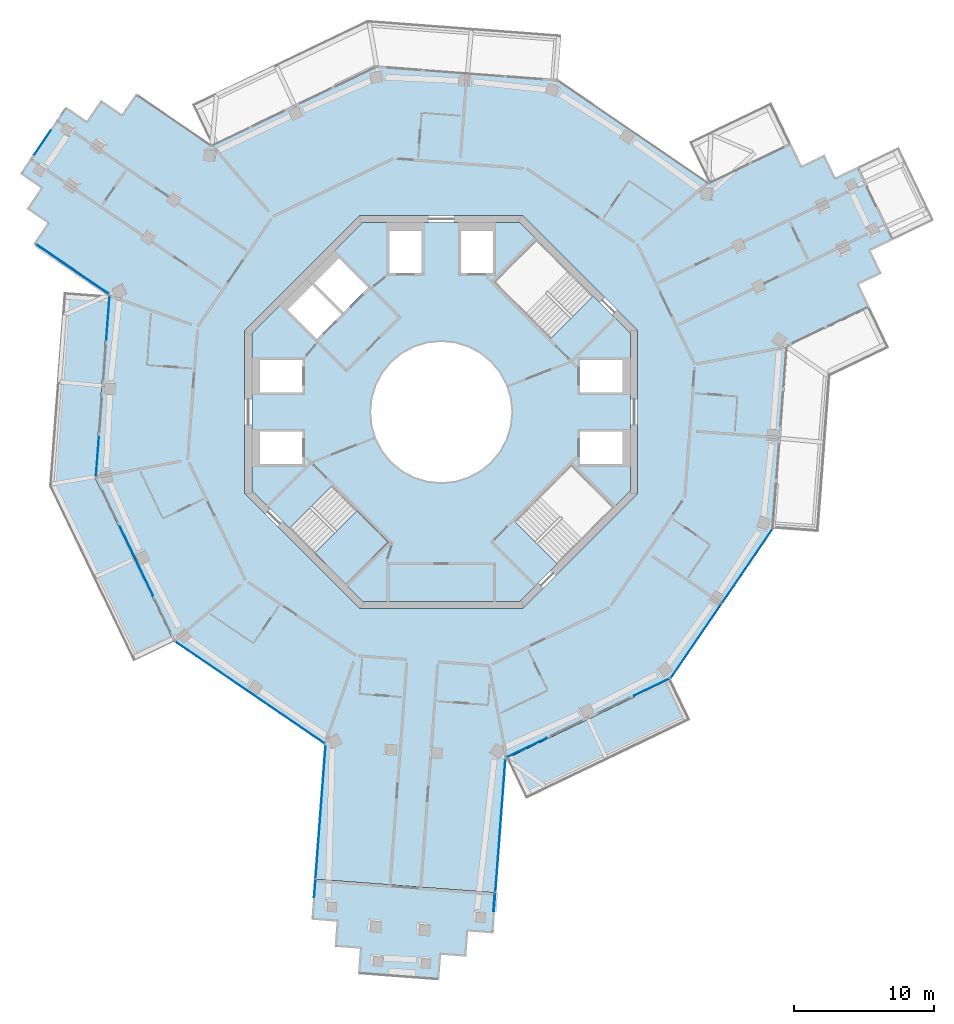
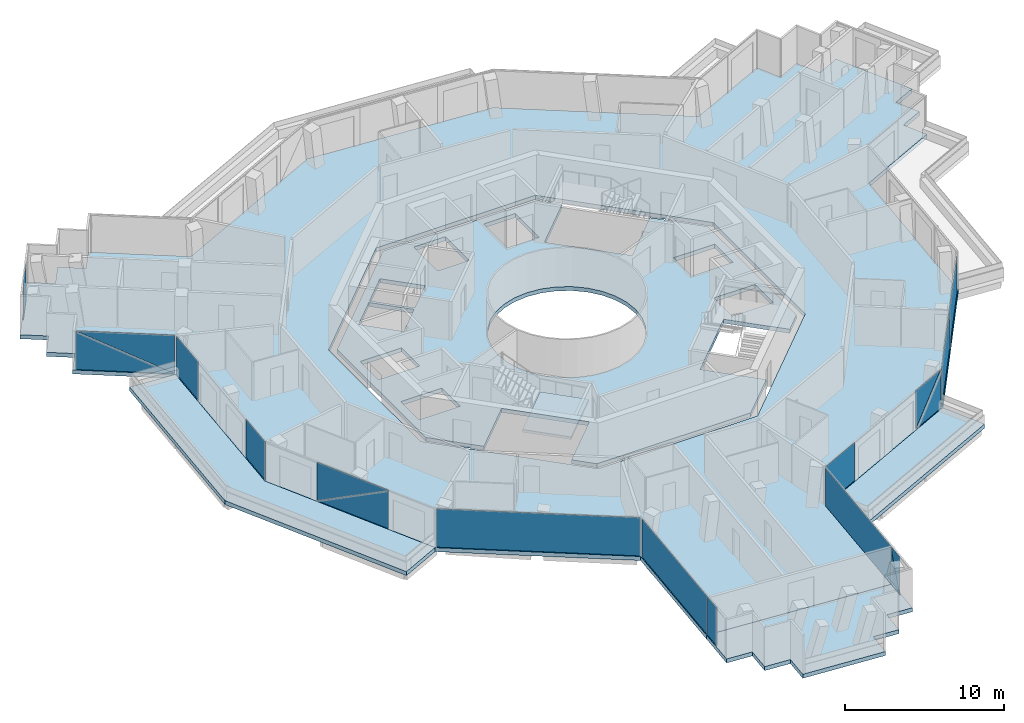
# One storey, part 12 of 23: 18 plates, 6 slabs, 10 elements without a shape of their own.
"""IFC4 building model written with IfcOpenShell, lengths in metres."""

from ifc_helpers import new_model, si_unit, direction, frame, origin, origin_2d, place, context, subcontext, project, spatial, polyline, rectangle, outline, extrude, material, layer, layer_set, type_object, element, aggregate, save


model = new_model("IFC4")

# Units and contexts
model_context = context("Model", 3, precision=1e-05, world=origin(), true_north=direction((0.0, 1.0)))
body_context = subcontext(model_context, "Body", "Model", "MODEL_VIEW")
ifc_project = project(units=[si_unit("LENGTHUNIT", "METRE"), si_unit("AREAUNIT", "SQUARE_METRE"), si_unit("VOLUMEUNIT", "CUBIC_METRE"), si_unit("PLANEANGLEUNIT", "RADIAN"), si_unit("MASSUNIT", "GRAM", prefix="KILO")], contexts=[model_context])

# Site, building, storey
site_placement = place(None, origin())
site = spatial("IfcSite", under=ifc_project, at=site_placement, CompositionType="ELEMENT")
building_placement = place(site_placement, origin())
building = spatial("IfcBuilding", under=site, at=building_placement, Name="Verdalira Terraces Hotel", CompositionType="ELEMENT")
storey_placement = place(building_placement, frame((0.0, 0.0, 259.5)))
storey = spatial("IfcBuildingStorey", under=building, at=storey_placement, Name="L64", CompositionType="ELEMENT", Elevation=259.5)

# Slabs
ifc_material_1 = material(Name="Precast concrete C40/50", Category="concrete")
ifc_layer_1 = layer(ifc_material_1, 0.31005859375)
ifc_layer_set_1 = layer_set([ifc_layer_1], Name="Balcony deck 310")
slab_type_1 = type_object("IfcSlabType", Name="Balcony deck 310", PredefinedType="FLOOR", material=ifc_layer_set_1)
slab_1_placement = place(storey_placement, frame((0.0, 0.0, -0.310059)))
element("IfcSlab", 1, at=slab_1_placement, inside=storey, type_object=slab_type_1, Name="Balcony deck", PredefinedType="FLOOR", context=body_context, shape_type="SweptSolid", body=[
    extrude(outline(polyline([(-27.93457, -5.268066), (-21.929443, -17.756836), (-19.045654, -16.370117), (-24.678955, -4.654297), (-23.699707, 8.308838), (-26.890625, 8.549805), (-27.93457, -5.268066)])), origin(), (0.0, 0.0, 1.0), 0.310059),
])
slab_2_placement = place(storey_placement, frame((0.0, 0.0, -0.310059)))
element("IfcSlab", 2, at=slab_2_placement, inside=storey, type_object=slab_type_1, Name="Balcony deck", PredefinedType="FLOOR", context=body_context, shape_type="SweptSolid", body=[
    extrude(outline(polyline([(17.756836, -21.929443), (16.370117, -19.045654), (4.654297, -24.678955), (6.041016, -27.562988), (17.756836, -21.929443)])), origin(), (0.0, 0.0, 1.0), 0.310059),
])

# Curtain wall, plates
ifc_material_2 = material(Name="Clear glass", Category="glass")
ifc_layer_2 = layer(ifc_material_2, 0.14990234375)
ifc_layer_set_2 = layer_set([ifc_layer_2], Name="CW1 curtain wall")
curtain_wall_type_1 = type_object("IfcCurtainWallType", Name="CW1 curtain wall", PredefinedType="NOTDEFINED", material=ifc_layer_set_2)
curtain_wall_1_placement = place(storey_placement, origin())
curtain_wall_1 = element("IfcCurtainWall", 3, at=curtain_wall_1_placement, inside=storey, type_object=curtain_wall_type_1, Name="CW1 curtain wall L64 edge 11", PredefinedType="NOTDEFINED")
ifc_material_3 = material(Name="Clear glass", Category="glass")
ifc_layer_3 = layer(ifc_material_3, 0.028076171875)
ifc_layer_set_3 = layer_set([ifc_layer_3], Name="CW1 glass unit 28")
plate_type_1 = type_object("IfcPlateType", Name="CW1 glass unit 28", PredefinedType="CURTAIN_PANEL", material=ifc_layer_set_3)
plate_1_placement = place(storey_placement, frame((-23.747803, 6.677734, 0.0), z_axis=(0.0, 0.0, 1.0), x_axis=(-0.075326806, -0.9971589, 0.0)))
plate_1 = element("IfcPlate", 4, at=plate_1_placement, type_object=plate_type_1, Name="CW1 glass unit", PredefinedType="CURTAIN_PANEL", context=body_context, shape_type="SweptSolid", body=[
    extrude(rectangle(XDim=3.139893, YDim=0.028076, at=origin_2d()), origin(), (0.0, 0.0, 1.0), 2.935059),
])
plate_2_placement = place(storey_placement, frame((-24.492676, -3.183838, 0.0), z_axis=(0.0, 0.0, 1.0), x_axis=(-0.075326806, -0.9971589, 0.0)))
plate_2 = element("IfcPlate", 5, at=plate_2_placement, type_object=plate_type_1, Name="CW1 glass unit", PredefinedType="CURTAIN_PANEL", context=body_context, shape_type="SweptSolid", body=[
    extrude(rectangle(XDim=2.76001, YDim=0.028076, at=origin_2d()), origin(), (0.0, 0.0, 1.0), 2.935059),
])
aggregate(curtain_wall_1, [plate_1, plate_2])

curtain_wall_2_placement = place(storey_placement, origin())
curtain_wall_2 = element("IfcCurtainWall", 6, at=curtain_wall_2_placement, inside=storey, type_object=curtain_wall_type_1, Name="CW1 curtain wall L64 edge 12", PredefinedType="NOTDEFINED")
plate_3_placement = place(storey_placement, frame((-21.70874, -10.625732, 1.467529), z_axis=(-0.901228342, -0.433344523, 0.0), x_axis=(0.433344523, -0.901228342, 0.0)))
plate_3 = element("IfcPlate", 7, at=plate_3_placement, type_object=plate_type_1, Name="CW1 glass unit", PredefinedType="CURTAIN_PANEL", context=body_context, shape_type="SweptSolid", body=[
    extrude(outline(polyline([(-2.727051, -1.467529), (2.727051, -1.467529), (2.727051, 1.467529), (-2.727051, -1.467529)])), origin(), (0.0, 0.0, 1.0), 0.028076),
])
plate_4_placement = place(storey_placement, frame((-21.682617, -10.613281, 1.467529), z_axis=(-0.901228342, -0.433344523, 0.0), x_axis=(0.433344523, -0.901228342, 0.0)))
plate_4 = element("IfcPlate", 8, at=plate_4_placement, type_object=plate_type_1, Name="CW1 glass unit", PredefinedType="CURTAIN_PANEL", context=body_context, shape_type="SweptSolid", body=[
    extrude(outline(polyline([(-2.727051, -1.467529), (2.727051, 1.467529), (-2.727051, 1.467529), (-2.727051, -1.467529)])), origin(), (0.0, 0.0, 1.0), 0.028076),
])
aggregate(curtain_wall_2, [plate_3, plate_4])

# Curtain wall, plate
curtain_wall_3_placement = place(storey_placement, origin())
curtain_wall_3 = element("IfcCurtainWall", 9, at=curtain_wall_3_placement, inside=storey, type_object=curtain_wall_type_1, Name="CW1 curtain wall L64 edge 13", PredefinedType="NOTDEFINED")
plate_5_placement = place(storey_placement, frame((-13.618408, -19.984375, 0.0), z_axis=(0.0, 0.0, 1.0), x_axis=(0.825901536, -0.563814377, 0.0)))
plate_5 = element("IfcPlate", 10, at=plate_5_placement, type_object=plate_type_1, Name="CW1 glass unit", PredefinedType="CURTAIN_PANEL", context=body_context, shape_type="SweptSolid", body=[
    extrude(rectangle(XDim=12.839844, YDim=0.028076, at=origin_2d()), origin(), (0.0, 0.0, 1.0), 2.935059),
])
aggregate(curtain_wall_3, [plate_5])

# Curtain wall, plates
curtain_wall_4_placement = place(storey_placement, origin())
curtain_wall_4 = element("IfcCurtainWall", 11, at=curtain_wall_4_placement, inside=storey, type_object=curtain_wall_type_1, Name="CW1 curtain wall L64 edge 25", PredefinedType="NOTDEFINED")
plate_6_placement = place(storey_placement, frame((6.09082, -23.905029, 0.0), z_axis=(0.0, 0.0, 1.0), x_axis=(0.901228342, 0.433344523, 0.0)))
plate_6 = element("IfcPlate", 12, at=plate_6_placement, type_object=plate_type_1, Name="CW1 glass unit", PredefinedType="CURTAIN_PANEL", context=body_context, shape_type="SweptSolid", body=[
    extrude(rectangle(XDim=3.139893, YDim=0.028076, at=origin_2d()), origin(), (0.0, 0.0, 1.0), 2.935059),
])
plate_7_placement = place(storey_placement, frame((14.997559, -19.606689, 1.467529), z_axis=(0.433344523, -0.901228342, 0.0), x_axis=(0.901228342, 0.433344523, 0.0)))
plate_7 = element("IfcPlate", 13, at=plate_7_placement, type_object=plate_type_1, Name="CW1 glass unit", PredefinedType="CURTAIN_PANEL", context=body_context, shape_type="SweptSolid", body=[
    extrude(outline(polyline([(-1.379883, -1.467529), (1.379883, -1.467529), (1.379883, 1.467529), (-1.379883, -1.467529)])), origin(), (0.0, 0.0, 1.0), 0.028076),
])
plate_8_placement = place(storey_placement, frame((14.985107, -19.580566, 1.467529), z_axis=(0.433344523, -0.901228342, 0.0), x_axis=(0.901228342, 0.433344523, 0.0)))
plate_8 = element("IfcPlate", 14, at=plate_8_placement, type_object=plate_type_1, Name="CW1 glass unit", PredefinedType="CURTAIN_PANEL", context=body_context, shape_type="SweptSolid", body=[
    extrude(outline(polyline([(-1.379883, -1.467529), (1.379883, 1.467529), (-1.379883, 1.467529), (-1.379883, -1.467529)])), origin(), (0.0, 0.0, 1.0), 0.028076),
])
aggregate(curtain_wall_4, [plate_6, plate_7, plate_8])

curtain_wall_5_placement = place(storey_placement, origin())
curtain_wall_5 = element("IfcCurtainWall", 15, at=curtain_wall_5_placement, inside=storey, type_object=curtain_wall_type_1, Name="CW1 curtain wall L64 edge 26", PredefinedType="NOTDEFINED")
plate_9_placement = place(storey_placement, frame((18.1604, -16.290039, 0.0), z_axis=(0.0, 0.0, 1.0), x_axis=(0.563814377, 0.825901536, 0.0)))
plate_9 = element("IfcPlate", 16, at=plate_9_placement, type_object=plate_type_1, Name="CW1 glass unit", PredefinedType="CURTAIN_PANEL", context=body_context, shape_type="SweptSolid", body=[
    extrude(rectangle(XDim=6.369873, YDim=0.028076, at=origin_2d()), origin(), (0.0, 0.0, 1.0), 2.935059),
])
plate_10_placement = place(storey_placement, frame((21.785645, -10.979736, 0.0), z_axis=(0.0, 0.0, 1.0), x_axis=(0.563814377, 0.825901536, 0.0)))
plate_10 = element("IfcPlate", 17, at=plate_10_placement, type_object=plate_type_1, Name="CW1 glass unit", PredefinedType="CURTAIN_PANEL", context=body_context, shape_type="SweptSolid", body=[
    extrude(rectangle(XDim=6.369873, YDim=0.028076, at=origin_2d()), origin(), (0.0, 0.0, 1.0), 2.935059),
])
aggregate(curtain_wall_5, [plate_9, plate_10])

ifc_material_4 = material(Name="Clear glass", Category="glass")
ifc_layer_4 = layer(ifc_material_4, 0.14990234375)
ifc_layer_set_4 = layer_set([ifc_layer_4], Name="CW2 curtain wall")
curtain_wall_type_2 = type_object("IfcCurtainWallType", Name="CW2 curtain wall", PredefinedType="NOTDEFINED", material=ifc_layer_set_4)
curtain_wall_6_placement = place(storey_placement, origin())
curtain_wall_6 = element("IfcCurtainWall", 18, at=curtain_wall_6_placement, inside=storey, type_object=curtain_wall_type_2, Name="CW2 curtain wall L64 edge 10", PredefinedType="NOTDEFINED")
ifc_material_5 = material(Name="Clear glass", Category="glass")
ifc_layer_5 = layer(ifc_material_5, 0.031982421875)
ifc_layer_set_5 = layer_set([ifc_layer_5], Name="CW2 glass unit 32")
plate_type_2 = type_object("IfcPlateType", Name="CW2 glass unit 32", PredefinedType="CURTAIN_PANEL", material=ifc_layer_set_5)
plate_11_placement = place(storey_placement, frame((-26.270508, 10.174072, 1.467529), z_axis=(-0.563814377, -0.825901536, 0.0), x_axis=(0.825901536, -0.563814377, 0.0)))
plate_11 = element("IfcPlate", 19, at=plate_11_placement, type_object=plate_type_2, Name="CW2 glass unit", PredefinedType="CURTAIN_PANEL", context=body_context, shape_type="SweptSolid", body=[
    extrude(outline(polyline([(-3.10498, -1.467529), (3.10498, -1.467529), (-3.10498, 1.467529), (-3.10498, -1.467529)])), origin(), (0.0, 0.0, 1.0), 0.031982),
])
plate_12_placement = place(storey_placement, frame((-26.251953, 10.201416, 1.467529), z_axis=(-0.563814377, -0.825901536, 0.0), x_axis=(0.825901536, -0.563814377, 0.0)))
plate_12 = element("IfcPlate", 20, at=plate_12_placement, type_object=plate_type_2, Name="CW2 glass unit", PredefinedType="CURTAIN_PANEL", context=body_context, shape_type="SweptSolid", body=[
    extrude(outline(polyline([(3.10498, -1.467529), (3.10498, 1.467529), (-3.10498, 1.467529), (3.10498, -1.467529)])), origin(), (0.0, 0.0, 1.0), 0.031982),
])
aggregate(curtain_wall_6, [plate_11, plate_12])

curtain_wall_7_placement = place(storey_placement, origin())
curtain_wall_7 = element("IfcCurtainWall", 21, at=curtain_wall_7_placement, inside=storey, type_object=curtain_wall_type_2, Name="CW2 curtain wall L64 edge 14", PredefinedType="NOTDEFINED")
plate_13_placement = place(storey_placement, frame((-8.596191, -28.499268, 0.0), z_axis=(0.0, 0.0, 1.0), x_axis=(-0.075326806, -0.9971589, 0.0)))
plate_13 = element("IfcPlate", 22, at=plate_13_placement, type_object=plate_type_2, Name="CW2 glass unit", PredefinedType="CURTAIN_PANEL", context=body_context, shape_type="SweptSolid", body=[
    extrude(rectangle(XDim=9.474854, YDim=0.031982, at=origin_2d()), origin(), (0.0, 0.0, 1.0), 2.935059),
])
plate_14_placement = place(storey_placement, frame((-9.006592, -33.933594, 0.0), z_axis=(0.0, 0.0, 1.0), x_axis=(-0.075326806, -0.9971589, 0.0)))
plate_14 = element("IfcPlate", 23, at=plate_14_placement, type_object=plate_type_2, Name="CW2 glass unit", PredefinedType="CURTAIN_PANEL", context=body_context, shape_type="SweptSolid", body=[
    extrude(rectangle(XDim=1.284912, YDim=0.031982, at=origin_2d()), origin(), (0.0, 0.0, 1.0), 2.935059),
])
aggregate(curtain_wall_7, [plate_13, plate_14])

curtain_wall_8_placement = place(storey_placement, origin())
curtain_wall_8 = element("IfcCurtainWall", 24, at=curtain_wall_8_placement, inside=storey, type_object=curtain_wall_type_2, Name="CW2 curtain wall L64 edge 24", PredefinedType="NOTDEFINED")
plate_15_placement = place(storey_placement, frame((3.790283, -34.9104, 1.467529), z_axis=(0.9971589, -0.075326806, 0.0), x_axis=(0.075326806, 0.9971589, 0.0)))
plate_15 = element("IfcPlate", 25, at=plate_15_placement, type_object=plate_type_2, Name="CW2 glass unit", PredefinedType="CURTAIN_PANEL", context=body_context, shape_type="SweptSolid", body=[
    extrude(outline(polyline([(-0.652344, -1.467529), (0.652344, -1.467529), (0.652344, 1.467529), (-0.652344, -1.467529)])), origin(), (0.0, 0.0, 1.0), 0.031982),
])
plate_16_placement = place(storey_placement, frame((3.757324, -34.907959, 1.467529), z_axis=(0.9971589, -0.075326806, 0.0), x_axis=(0.075326806, 0.9971589, 0.0)))
plate_16 = element("IfcPlate", 26, at=plate_16_placement, type_object=plate_type_2, Name="CW2 glass unit", PredefinedType="CURTAIN_PANEL", context=body_context, shape_type="SweptSolid", body=[
    extrude(outline(polyline([(-0.652344, -1.467529), (0.652344, 1.467529), (-0.652344, 1.467529), (-0.652344, -1.467529)])), origin(), (0.0, 0.0, 1.0), 0.031982),
])
plate_17_placement = place(storey_placement, frame((4.217285, -29.467041, 0.0), z_axis=(0.0, 0.0, 1.0), x_axis=(0.075326806, 0.9971589, 0.0)))
plate_17 = element("IfcPlate", 27, at=plate_17_placement, type_object=plate_type_2, Name="CW2 glass unit", PredefinedType="CURTAIN_PANEL", context=body_context, shape_type="SweptSolid", body=[
    extrude(rectangle(XDim=9.474854, YDim=0.031982, at=origin_2d()), origin(), (0.0, 0.0, 1.0), 2.935059),
])
aggregate(curtain_wall_8, [plate_15, plate_16, plate_17])

# Curtain wall, plate
ifc_material_6 = material(Name="Clear glass", Category="glass")
ifc_layer_6 = layer(ifc_material_6, 0.14990234375)
ifc_layer_set_6 = layer_set([ifc_layer_6], Name="CW3 curtain wall")
curtain_wall_type_3 = type_object("IfcCurtainWallType", Name="CW3 curtain wall", PredefinedType="NOTDEFINED", material=ifc_layer_set_6)
curtain_wall_9_placement = place(storey_placement, origin())
curtain_wall_9 = element("IfcCurtainWall", 28, at=curtain_wall_9_placement, inside=storey, type_object=curtain_wall_type_3, Name="CW3 curtain wall L64 edge 5", PredefinedType="NOTDEFINED")
ifc_material_7 = material(Name="Clear glass", Category="glass")
ifc_layer_7 = layer(ifc_material_7, 0.035888671875)
ifc_layer_set_7 = layer_set([ifc_layer_7], Name="CW3 glass unit 36")
plate_type_3 = type_object("IfcPlateType", Name="CW3 glass unit 36", PredefinedType="CURTAIN_PANEL", material=ifc_layer_set_7)
plate_18_placement = place(storey_placement, frame((-28.422607, 19.170898, 0.0), z_axis=(0.0, 0.0, 1.0), x_axis=(-0.563814377, -0.825901536, 0.0)))
plate_18 = element("IfcPlate", 29, at=plate_18_placement, type_object=plate_type_3, Name="CW3 glass unit", PredefinedType="CURTAIN_PANEL", context=body_context, shape_type="SweptSolid", body=[
    extrude(rectangle(XDim=2.13501, YDim=0.035889, at=origin_2d()), origin(), (0.0, 0.0, 1.0), 2.935059),
])
aggregate(curtain_wall_9, [plate_18])

# Slab
ifc_material_8 = material(Name="Concrete C40", Category="concrete")
ifc_layer_8 = layer(ifc_material_8, 0.31005859375)
ifc_layer_set_8 = layer_set([ifc_layer_8], Name="Core floor slab 310 mm")
slab_type_2 = type_object("IfcSlabType", Name="Core floor slab 310 mm", PredefinedType="FLOOR", material=ifc_layer_set_8)
slab_3_placement = place(storey_placement, frame((0.0, 0.0, -0.310059)))
element("IfcSlab", 30, at=slab_3_placement, inside=storey, type_object=slab_type_2, Name="L64 core floor", PredefinedType="FLOOR", context=body_context, shape_type="SweptSolid", body=[
    extrude(outline(polyline([(-6.77417, -12.317871), (-3.719482, -9.263184), (-7.763672, -5.21875), (-10.818359, -8.273438), (-13.5, -5.591797), (-13.5, 5.591797), (-5.591797, 13.5), (5.591797, 13.5), (6.77417, 12.317871), (3.719482, 9.263184), (7.763672, 5.21875), (10.818359, 8.273438), (13.5, 5.591797), (13.5, -5.591797), (12.317871, -6.77417), (9.263184, -3.719482), (5.21875, -7.763672), (8.273438, -10.818359), (5.591797, -13.5), (-5.591797, -13.5), (-6.77417, -12.317871)]), holes=[polyline([(9.899902, -1.399902), (9.899902, -3.699951), (12.899902, -3.699951), (12.899902, -1.399902), (9.899902, -1.399902)]), polyline([(9.899902, 3.699951), (9.899902, 1.399902), (12.899902, 1.399902), (12.899902, 3.699951), (9.899902, 3.699951)]), polyline([(3.699951, 12.899902), (1.399902, 12.899902), (1.399902, 9.899902), (3.699951, 9.899902), (3.699951, 12.899902)]), polyline([(-1.399902, 12.899902), (-3.699951, 12.899902), (-3.699951, 9.899902), (-1.399902, 9.899902), (-1.399902, 12.899902)]), polyline([(-9.899902, 1.399902), (-9.899902, 3.699951), (-12.899902, 3.699951), (-12.899902, 1.399902), (-9.899902, 1.399902)]), polyline([(-9.899902, -3.699951), (-9.899902, -1.399902), (-12.899902, -1.399902), (-12.899902, -3.699951), (-9.899902, -3.699951)]), polyline([(-9.051025, 9.192383), (-6.965088, 7.106445), (-5.197266, 8.874268), (-7.283203, 10.960205), (-9.051025, 9.192383)]), polyline([(-9.192383, 9.051025), (-10.960205, 7.283203), (-8.874268, 5.197266), (-7.106445, 6.965088), (-9.192383, 9.051025)]), polyline([(3.5354, 3.5354), (2.777832, 4.157227), (1.91333, 4.619385), (0.975586, 4.903809), (0.0, 5.0), (-0.975586, 4.903809), (-1.91333, 4.619385), (-2.777832, 4.157227), (-3.5354, 3.5354), (-4.157227, 2.777832), (-4.619385, 1.91333), (-4.903809, 0.975586), (-5.0, 0.0), (-4.903809, -0.975586), (-4.619385, -1.91333), (-4.157227, -2.777832), (-3.5354, -3.5354), (-2.777832, -4.157227), (-1.91333, -4.619385), (-0.975586, -4.903809), (0.0, -5.0), (0.975586, -4.903809), (1.91333, -4.619385), (2.777832, -4.157227), (3.5354, -3.5354), (4.157227, -2.777832), (4.619385, -1.91333), (4.903809, -0.975586), (5.0, 0.0), (4.903809, 0.975586), (4.619385, 1.91333), (4.157227, 2.777832), (3.5354, 3.5354)])]), origin(), (0.0, 0.0, 1.0), 0.310059),
])

# Stair, slab
ifc_material_9 = material(Name="Concrete C40", Category="concrete")
stair_type = type_object("IfcStairType", Name="Core stair 20 risers 2100 mm wide", PredefinedType="HALF_TURN_STAIR", material=ifc_material_9)
stair_placement = place(storey_placement, origin())
stair = element("IfcStair", 31, at=stair_placement, inside=storey, type_object=stair_type, Name="L64 Exit stair ST2", PredefinedType="HALF_TURN_STAIR")
ifc_material_10 = material(Name="Concrete C40", Category="concrete")
ifc_layer_9 = layer(ifc_material_10, 0.199951171875)
ifc_layer_set_9 = layer_set([ifc_layer_9], Name="Core stair landing 200 mm")
slab_type_3 = type_object("IfcSlabType", Name="Core stair landing 200 mm", PredefinedType="LANDING", material=ifc_layer_set_9)
slab_4_placement = place(storey_placement, frame((0.0, 0.0, 1.550049)))
slab_4 = element("IfcSlab", 32, at=slab_4_placement, type_object=slab_type_3, Name="ST2 landing 1", PredefinedType="LANDING", context=body_context, shape_type="SweptSolid", body=[
    extrude(outline(polyline([(-9.037109, -10.054688), (-6.78833, -12.303711), (-3.747559, -9.263184), (-5.996582, -7.01416), (-9.037109, -10.054688)])), origin(), (0.0, 0.0, 1.0), 0.199951),
])
aggregate(stair, [slab_4])

# Slabs
ifc_material_11 = material(Name="Concrete C40", Category="concrete")
ifc_layer_10 = layer(ifc_material_11, 0.31005859375)
ifc_layer_set_10 = layer_set([ifc_layer_10], Name="Floor slab 310 C40")
slab_type_4 = type_object("IfcSlabType", Name="Floor slab 310 C40", PredefinedType="FLOOR", material=ifc_layer_set_10)
slab_5_placement = place(storey_placement, frame((0.0, 0.0, -0.310059)))
element("IfcSlab", 33, at=slab_5_placement, inside=storey, type_object=slab_type_4, Name="Floor slab L64", PredefinedType="FLOOR", context=body_context, shape_type="SweptSolid", body=[
    extrude(outline(polyline([(-19.045654, -16.370117), (-8.308838, -23.699707), (-9.031982, -33.271729), (3.931152, -34.251221), (4.654297, -24.678955), (16.370117, -19.045654), (23.699707, -8.308838), (24.678955, 4.654297), (30.536865, 7.470947), (29.756836, 9.093018), (31.378906, 9.873047), (30.599121, 11.495361), (32.221191, 12.275391), (29.707764, 17.502441), (28.085693, 16.722412), (27.305664, 18.344727), (25.68335, 17.564697), (24.90332, 19.187012), (19.045654, 16.370117), (8.308838, 23.699707), (-4.654297, 24.678955), (-16.370117, 19.045654), (-21.738281, 22.710205), (-22.753418, 21.223633), (-24.23999, 22.238525), (-25.254883, 20.751953), (-26.741455, 21.766602), (-30.011475, 16.976562), (-28.524902, 15.96167), (-29.539795, 14.475098), (-28.052979, 13.460205), (-29.068115, 11.973389), (-23.699707, 8.308838), (-24.678955, -4.654297), (-19.045654, -16.370117)]), holes=[polyline([(5.799072, 14.0), (14.0, 5.799072), (14.0, -5.799072), (5.799072, -14.0), (-5.799072, -14.0), (-14.0, -5.799072), (-14.0, 5.799072), (-5.799072, 14.0), (5.799072, 14.0)])]), origin(), (0.0, 0.0, 1.0), 0.310059),
])
ifc_material_12 = material(Name="Concrete C40", Category="concrete")
ifc_layer_11 = layer(ifc_material_12, 0.31005859375)
ifc_layer_set_11 = layer_set([ifc_layer_11], Name="Loggia floor deck 310 C40")
slab_type_5 = type_object("IfcSlabType", Name="Loggia floor deck 310 C40", PredefinedType="FLOOR", material=ifc_layer_set_11)
slab_6_placement = place(storey_placement, frame((0.0, 0.0, -0.310059)))
element("IfcSlab", 34, at=slab_6_placement, inside=storey, type_object=slab_type_5, Name="Loggia deck L64", PredefinedType="FLOOR", context=body_context, shape_type="SweptSolid", body=[
    extrude(outline(polyline([(3.712646, -37.143311), (3.931152, -34.251709), (-9.031982, -33.272217), (-9.250488, -36.164062), (-7.455566, -36.299805), (-7.591064, -38.094482), (-5.796143, -38.230225), (-5.931885, -40.024902), (-0.148193, -40.461914), (-0.012695, -38.666992), (1.782227, -38.80249), (1.917725, -37.007812), (3.712646, -37.143311)])), origin(), (0.0, 0.0, 1.0), 0.310059),
])

save(model, "model.ifc")
